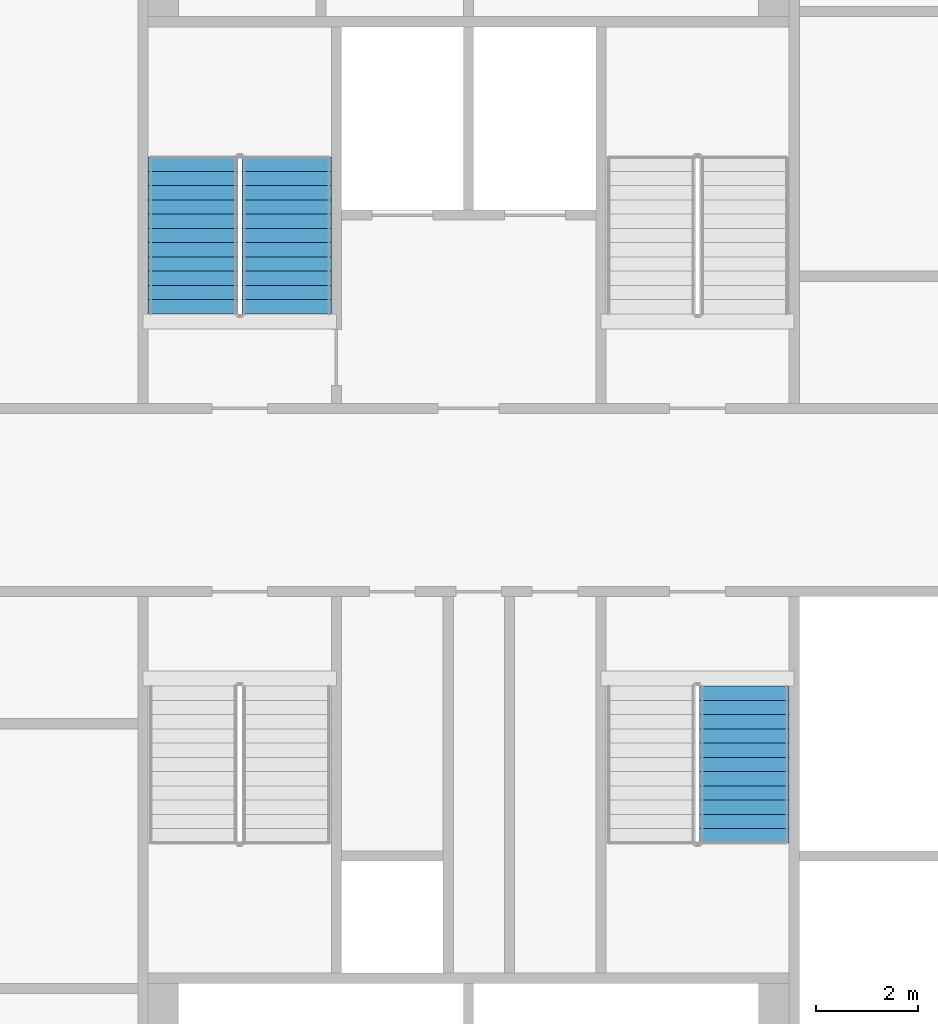
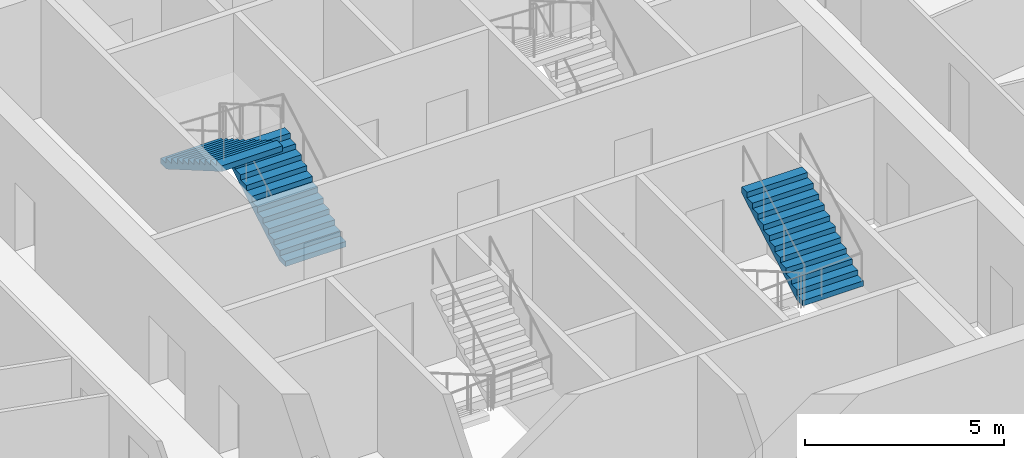
# One storey, part 15 of 21: 3 stair flights, 2 elements without a shape of their own.
"""IFC4 building model written with IfcOpenShell, lengths in metres."""

from ifc_helpers import new_model, si_unit, direction, frame, origin, place, context, subcontext, project, spatial, faceted_brep, material, type_object, element, aggregate, save


model = new_model("IFC4")

# Units and contexts
model_context = context("Model", 3, precision=1e-05, world=origin(), true_north=direction((0.0, 1.0)))
body_context = subcontext(model_context, "Body", "Model", "MODEL_VIEW")
ifc_project = project(units=[si_unit("LENGTHUNIT", "METRE"), si_unit("AREAUNIT", "SQUARE_METRE"), si_unit("VOLUMEUNIT", "CUBIC_METRE"), si_unit("PLANEANGLEUNIT", "RADIAN"), si_unit("MASSUNIT", "GRAM", prefix="KILO")], contexts=[model_context])

# Site, building, storey
site_placement = place(None, origin())
site = spatial("IfcSite", under=ifc_project, at=site_placement, CompositionType="ELEMENT")
building_placement = place(site_placement, origin())
building = spatial("IfcBuilding", under=site, at=building_placement, Name="Tarsis Ring Headquarters", CompositionType="ELEMENT")
storey_placement = place(building_placement, frame((0.0, 0.0, 223.800048828125)))
storey = spatial("IfcBuildingStorey", under=building, at=storey_placement, Name="L52", CompositionType="ELEMENT", Elevation=223.800048828125)

# Stair, stair flights
ifc_material_1 = material(Name="Core stair 1760")
stair_type = type_object("IfcStairType", Name="Core stair 1760", PredefinedType="HALF_TURN_STAIR", material=ifc_material_1)
stair_1_placement = place(storey_placement, origin())
stair_1 = element("IfcStair", 1, at=stair_1_placement, inside=storey, type_object=stair_type, Name="L52 Firefighting stair", PredefinedType="HALF_TURN_STAIR")
ifc_material_2 = material(Name="Concrete C40/50", Category="concrete")
stair_flight_type = type_object("IfcStairFlightType", Name="Core stair flight 1760", PredefinedType="STRAIGHT", material=ifc_material_2)
stair_flight_1_placement = place(storey_placement, frame((-3.580078125, 3.659912109375, 0.0), z_axis=(0.0, 0.0, 1.0), x_axis=(0.0, 1.0, 0.0)))
stair_flight_1 = element("IfcStairFlight", 2, at=stair_flight_1_placement, type_object=stair_flight_type, Name="Stair ST1 flight 1", NumberOfRisers=12, NumberOfTreads=11, PredefinedType="STRAIGHT", RiserHeight=0.1625, TreadLength=0.28, context=body_context, shape_type="Brep", body=[
    faceted_brep([(0.0, 0.8798828125, 0.0), (0.0, 0.8798828125, 0.16259765625), (0.280029296875, 0.8798828125, 0.16259765625), (0.280029296875, 0.8798828125, 0.324951171875), (0.56005859375, 0.8798828125, 0.324951171875), (0.56005859375, 0.8798828125, 0.487548828125), (0.840087890625, 0.8798828125, 0.487548828125), (0.840087890625, 0.8798828125, 0.64990234375), (1.1201171875, 0.8798828125, 0.64990234375), (1.1201171875, 0.8798828125, 0.8125), (1.39990234375, 0.8798828125, 0.8125), (1.39990234375, 0.8798828125, 0.97509765625), (1.679931640625, 0.8798828125, 0.97509765625), (1.679931640625, 0.8798828125, 1.137451171875), (1.9599609375, 0.8798828125, 1.137451171875), (1.9599609375, 0.8798828125, 1.300048828125), (2.239990234375, 0.8798828125, 1.300048828125), (2.239990234375, 0.8798828125, 1.46240234375), (2.52001953125, 0.8798828125, 1.46240234375), (2.52001953125, 0.8798828125, 1.625), (2.800048828125, 0.8798828125, 1.625), (2.800048828125, 0.8798828125, 1.78759765625), (3.080078125, 0.8798828125, 1.78759765625), (3.080078125, 0.8798828125, 1.6142578125), (0.298583984375, 0.8798828125, 0.0), (0.298583984375, -0.8798828125, 0.0), (3.080078125, -0.8798828125, 1.6142578125), (3.080078125, -0.8798828125, 1.78759765625), (2.800048828125, -0.8798828125, 1.78759765625), (2.800048828125, -0.8798828125, 1.625), (2.52001953125, -0.8798828125, 1.625), (2.52001953125, -0.8798828125, 1.46240234375), (2.239990234375, -0.8798828125, 1.46240234375), (2.239990234375, -0.8798828125, 1.300048828125), (1.9599609375, -0.8798828125, 1.300048828125), (1.9599609375, -0.8798828125, 1.137451171875), (1.679931640625, -0.8798828125, 1.137451171875), (1.679931640625, -0.8798828125, 0.97509765625), (1.39990234375, -0.8798828125, 0.97509765625), (1.39990234375, -0.8798828125, 0.8125), (1.1201171875, -0.8798828125, 0.8125), (1.1201171875, -0.8798828125, 0.64990234375), (0.840087890625, -0.8798828125, 0.64990234375), (0.840087890625, -0.8798828125, 0.487548828125), (0.56005859375, -0.8798828125, 0.487548828125), (0.56005859375, -0.8798828125, 0.324951171875), (0.280029296875, -0.8798828125, 0.324951171875), (0.280029296875, -0.8798828125, 0.16259765625), (0.0, -0.8798828125, 0.16259765625), (0.0, -0.8798828125, 0.0), (0.0, -0.43994140625, 0.16259765625), (0.0, -0.43994140625, 0.0), (0.0, 0.0, 0.16259765625), (0.0, 0.0, 0.0), (0.0, 0.43994140625, 0.16259765625), (0.0, 0.43994140625, 0.0), (0.280029296875, -0.43994140625, 0.16259765625), (0.280029296875, 0.0, 0.16259765625), (0.280029296875, 0.43994140625, 0.16259765625), (0.280029296875, -0.43994140625, 0.324951171875), (0.280029296875, 0.0, 0.324951171875), (0.280029296875, 0.43994140625, 0.324951171875), (0.56005859375, -0.43994140625, 0.324951171875), (0.56005859375, 0.0, 0.324951171875), (0.56005859375, 0.43994140625, 0.324951171875), (0.56005859375, -0.43994140625, 0.487548828125), (0.56005859375, 0.0, 0.487548828125), (0.56005859375, 0.43994140625, 0.487548828125), (0.840087890625, -0.43994140625, 0.487548828125), (0.840087890625, 0.0, 0.487548828125), (0.840087890625, 0.43994140625, 0.487548828125), (0.840087890625, -0.43994140625, 0.64990234375), (0.840087890625, 0.0, 0.64990234375), (0.840087890625, 0.43994140625, 0.64990234375), (1.1201171875, -0.43994140625, 0.64990234375), (1.1201171875, 0.0, 0.64990234375), (1.1201171875, 0.43994140625, 0.64990234375), (1.1201171875, -0.43994140625, 0.8125), (1.1201171875, 0.0, 0.8125), (1.1201171875, 0.43994140625, 0.8125), (1.39990234375, -0.43994140625, 0.8125), (1.39990234375, 0.0, 0.8125), (1.39990234375, 0.43994140625, 0.8125), (1.39990234375, -0.43994140625, 0.97509765625), (1.39990234375, 0.0, 0.97509765625), (1.39990234375, 0.43994140625, 0.97509765625), (1.679931640625, -0.43994140625, 0.97509765625), (1.679931640625, 0.0, 0.97509765625), (1.679931640625, 0.43994140625, 0.97509765625), (1.679931640625, -0.43994140625, 1.137451171875), (1.679931640625, 0.0, 1.137451171875), (1.679931640625, 0.43994140625, 1.137451171875), (1.9599609375, -0.43994140625, 1.137451171875), (1.9599609375, 0.0, 1.137451171875), (1.9599609375, 0.43994140625, 1.137451171875), (1.9599609375, -0.43994140625, 1.300048828125), (1.9599609375, 0.0, 1.300048828125), (1.9599609375, 0.43994140625, 1.300048828125), (2.239990234375, -0.43994140625, 1.300048828125), (2.239990234375, 0.0, 1.300048828125), (2.239990234375, 0.43994140625, 1.300048828125), (2.239990234375, -0.43994140625, 1.46240234375), (2.239990234375, 0.0, 1.46240234375), (2.239990234375, 0.43994140625, 1.46240234375), (2.52001953125, -0.43994140625, 1.46240234375), (2.52001953125, 0.0, 1.46240234375), (2.52001953125, 0.43994140625, 1.46240234375), (2.52001953125, -0.43994140625, 1.625), (2.52001953125, 0.0, 1.625), (2.52001953125, 0.43994140625, 1.625), (2.800048828125, -0.43994140625, 1.625), (2.800048828125, 0.0, 1.625), (2.800048828125, 0.43994140625, 1.625), (2.800048828125, -0.43994140625, 1.78759765625), (2.800048828125, 0.0, 1.78759765625), (2.800048828125, 0.43994140625, 1.78759765625), (3.080078125, -0.43994140625, 1.78759765625), (3.080078125, 0.0, 1.78759765625), (3.080078125, 0.43994140625, 1.78759765625), (3.080078125, -0.43994140625, 1.6142578125), (3.080078125, 0.0, 1.6142578125), (3.080078125, 0.43994140625, 1.6142578125), (0.298583984375, -0.43994140625, 0.0), (0.298583984375, 0.0, 0.0), (0.298583984375, 0.43994140625, 0.0)], [[[0, 1, 2, 3, 4, 5, 6, 7, 8, 9, 10, 11, 12, 13, 14, 15, 16, 17, 18, 19, 20, 21, 22, 23, 24]], [[25, 26, 27, 28, 29, 30, 31, 32, 33, 34, 35, 36, 37, 38, 39, 40, 41, 42, 43, 44, 45, 46, 47, 48, 49]], [[49, 48, 50, 51]], [[51, 50, 52, 53]], [[53, 52, 54, 55]], [[55, 54, 1, 0]], [[48, 47, 56, 50]], [[50, 56, 57, 52]], [[52, 57, 58, 54]], [[54, 58, 2, 1]], [[47, 46, 59, 56]], [[56, 59, 60, 57]], [[57, 60, 61, 58]], [[58, 61, 3, 2]], [[46, 45, 62, 59]], [[59, 62, 63, 60]], [[60, 63, 64, 61]], [[61, 64, 4, 3]], [[45, 44, 65, 62]], [[62, 65, 66, 63]], [[63, 66, 67, 64]], [[64, 67, 5, 4]], [[44, 43, 68, 65]], [[65, 68, 69, 66]], [[66, 69, 70, 67]], [[67, 70, 6, 5]], [[43, 42, 71, 68]], [[68, 71, 72, 69]], [[69, 72, 73, 70]], [[70, 73, 7, 6]], [[42, 41, 74, 71]], [[71, 74, 75, 72]], [[72, 75, 76, 73]], [[73, 76, 8, 7]], [[41, 40, 77, 74]], [[74, 77, 78, 75]], [[75, 78, 79, 76]], [[76, 79, 9, 8]], [[40, 39, 80, 77]], [[77, 80, 81, 78]], [[78, 81, 82, 79]], [[79, 82, 10, 9]], [[39, 38, 83, 80]], [[80, 83, 84, 81]], [[81, 84, 85, 82]], [[82, 85, 11, 10]], [[38, 37, 86, 83]], [[83, 86, 87, 84]], [[84, 87, 88, 85]], [[85, 88, 12, 11]], [[37, 36, 89, 86]], [[86, 89, 90, 87]], [[87, 90, 91, 88]], [[88, 91, 13, 12]], [[36, 35, 92, 89]], [[89, 92, 93, 90]], [[90, 93, 94, 91]], [[91, 94, 14, 13]], [[35, 34, 95, 92]], [[92, 95, 96, 93]], [[93, 96, 97, 94]], [[94, 97, 15, 14]], [[34, 33, 98, 95]], [[95, 98, 99, 96]], [[96, 99, 100, 97]], [[97, 100, 16, 15]], [[33, 32, 101, 98]], [[98, 101, 102, 99]], [[99, 102, 103, 100]], [[100, 103, 17, 16]], [[32, 31, 104, 101]], [[101, 104, 105, 102]], [[102, 105, 106, 103]], [[103, 106, 18, 17]], [[31, 30, 107, 104]], [[104, 107, 108, 105]], [[105, 108, 109, 106]], [[106, 109, 19, 18]], [[30, 29, 110, 107]], [[107, 110, 111, 108]], [[108, 111, 112, 109]], [[109, 112, 20, 19]], [[29, 28, 113, 110]], [[110, 113, 114, 111]], [[111, 114, 115, 112]], [[112, 115, 21, 20]], [[28, 27, 116, 113]], [[113, 116, 117, 114]], [[114, 117, 118, 115]], [[115, 118, 22, 21]], [[27, 26, 119, 116]], [[116, 119, 120, 117]], [[117, 120, 121, 118]], [[118, 121, 23, 22]], [[26, 25, 122, 119]], [[119, 122, 123, 120]], [[120, 123, 124, 121]], [[121, 124, 24, 23]], [[25, 49, 51, 122]], [[122, 51, 53, 123]], [[123, 53, 55, 124]], [[124, 55, 0, 24]]]),
])
stair_flight_2_placement = place(storey_placement, frame((-5.419921875, 6.739990234375, 1.949951171875), z_axis=(0.0, 0.0, 1.0), x_axis=(0.0, -1.0, 0.0)))
stair_flight_2 = element("IfcStairFlight", 3, at=stair_flight_2_placement, type_object=stair_flight_type, Name="Stair ST1 flight 2", NumberOfRisers=12, NumberOfTreads=11, PredefinedType="STRAIGHT", RiserHeight=0.1625, TreadLength=0.28, context=body_context, shape_type="Brep", body=[
    faceted_brep([(0.0, 0.8798828125, 0.0), (0.0, 0.8798828125, 0.16259765625), (0.280029296875, 0.8798828125, 0.16259765625), (0.280029296875, 0.8798828125, 0.324951171875), (0.56005859375, 0.8798828125, 0.324951171875), (0.56005859375, 0.8798828125, 0.487548828125), (0.840087890625, 0.8798828125, 0.487548828125), (0.840087890625, 0.8798828125, 0.64990234375), (1.1201171875, 0.8798828125, 0.64990234375), (1.1201171875, 0.8798828125, 0.8125), (1.39990234375, 0.8798828125, 0.8125), (1.39990234375, 0.8798828125, 0.97509765625), (1.679931640625, 0.8798828125, 0.97509765625), (1.679931640625, 0.8798828125, 1.137451171875), (1.9599609375, 0.8798828125, 1.137451171875), (1.9599609375, 0.8798828125, 1.300048828125), (2.239990234375, 0.8798828125, 1.300048828125), (2.239990234375, 0.8798828125, 1.46240234375), (2.52001953125, 0.8798828125, 1.46240234375), (2.52001953125, 0.8798828125, 1.625), (2.800048828125, 0.8798828125, 1.625), (2.800048828125, 0.8798828125, 1.78759765625), (3.080078125, 0.8798828125, 1.78759765625), (3.080078125, 0.8798828125, 1.6142578125), (0.298583984375, 0.8798828125, 0.0), (0.298583984375, -0.8798828125, 0.0), (3.080078125, -0.8798828125, 1.6142578125), (3.080078125, -0.8798828125, 1.78759765625), (2.800048828125, -0.8798828125, 1.78759765625), (2.800048828125, -0.8798828125, 1.625), (2.52001953125, -0.8798828125, 1.625), (2.52001953125, -0.8798828125, 1.46240234375), (2.239990234375, -0.8798828125, 1.46240234375), (2.239990234375, -0.8798828125, 1.300048828125), (1.9599609375, -0.8798828125, 1.300048828125), (1.9599609375, -0.8798828125, 1.137451171875), (1.679931640625, -0.8798828125, 1.137451171875), (1.679931640625, -0.8798828125, 0.97509765625), (1.39990234375, -0.8798828125, 0.97509765625), (1.39990234375, -0.8798828125, 0.8125), (1.1201171875, -0.8798828125, 0.8125), (1.1201171875, -0.8798828125, 0.64990234375), (0.840087890625, -0.8798828125, 0.64990234375), (0.840087890625, -0.8798828125, 0.487548828125), (0.56005859375, -0.8798828125, 0.487548828125), (0.56005859375, -0.8798828125, 0.324951171875), (0.280029296875, -0.8798828125, 0.324951171875), (0.280029296875, -0.8798828125, 0.16259765625), (0.0, -0.8798828125, 0.16259765625), (0.0, -0.8798828125, 0.0), (0.0, -0.43994140625, 0.16259765625), (0.0, -0.43994140625, 0.0), (0.0, 0.0, 0.16259765625), (0.0, 0.0, 0.0), (0.0, 0.43994140625, 0.16259765625), (0.0, 0.43994140625, 0.0), (0.280029296875, -0.43994140625, 0.16259765625), (0.280029296875, 0.0, 0.16259765625), (0.280029296875, 0.43994140625, 0.16259765625), (0.280029296875, -0.43994140625, 0.324951171875), (0.280029296875, 0.0, 0.324951171875), (0.280029296875, 0.43994140625, 0.324951171875), (0.56005859375, -0.43994140625, 0.324951171875), (0.56005859375, 0.0, 0.324951171875), (0.56005859375, 0.43994140625, 0.324951171875), (0.56005859375, -0.43994140625, 0.487548828125), (0.56005859375, 0.0, 0.487548828125), (0.56005859375, 0.43994140625, 0.487548828125), (0.840087890625, -0.43994140625, 0.487548828125), (0.840087890625, 0.0, 0.487548828125), (0.840087890625, 0.43994140625, 0.487548828125), (0.840087890625, -0.43994140625, 0.64990234375), (0.840087890625, 0.0, 0.64990234375), (0.840087890625, 0.43994140625, 0.64990234375), (1.1201171875, -0.43994140625, 0.64990234375), (1.1201171875, 0.0, 0.64990234375), (1.1201171875, 0.43994140625, 0.64990234375), (1.1201171875, -0.43994140625, 0.8125), (1.1201171875, 0.0, 0.8125), (1.1201171875, 0.43994140625, 0.8125), (1.39990234375, -0.43994140625, 0.8125), (1.39990234375, 0.0, 0.8125), (1.39990234375, 0.43994140625, 0.8125), (1.39990234375, -0.43994140625, 0.97509765625), (1.39990234375, 0.0, 0.97509765625), (1.39990234375, 0.43994140625, 0.97509765625), (1.679931640625, -0.43994140625, 0.97509765625), (1.679931640625, 0.0, 0.97509765625), (1.679931640625, 0.43994140625, 0.97509765625), (1.679931640625, -0.43994140625, 1.137451171875), (1.679931640625, 0.0, 1.137451171875), (1.679931640625, 0.43994140625, 1.137451171875), (1.9599609375, -0.43994140625, 1.137451171875), (1.9599609375, 0.0, 1.137451171875), (1.9599609375, 0.43994140625, 1.137451171875), (1.9599609375, -0.43994140625, 1.300048828125), (1.9599609375, 0.0, 1.300048828125), (1.9599609375, 0.43994140625, 1.300048828125), (2.239990234375, -0.43994140625, 1.300048828125), (2.239990234375, 0.0, 1.300048828125), (2.239990234375, 0.43994140625, 1.300048828125), (2.239990234375, -0.43994140625, 1.46240234375), (2.239990234375, 0.0, 1.46240234375), (2.239990234375, 0.43994140625, 1.46240234375), (2.52001953125, -0.43994140625, 1.46240234375), (2.52001953125, 0.0, 1.46240234375), (2.52001953125, 0.43994140625, 1.46240234375), (2.52001953125, -0.43994140625, 1.625), (2.52001953125, 0.0, 1.625), (2.52001953125, 0.43994140625, 1.625), (2.800048828125, -0.43994140625, 1.625), (2.800048828125, 0.0, 1.625), (2.800048828125, 0.43994140625, 1.625), (2.800048828125, -0.43994140625, 1.78759765625), (2.800048828125, 0.0, 1.78759765625), (2.800048828125, 0.43994140625, 1.78759765625), (3.080078125, -0.43994140625, 1.78759765625), (3.080078125, 0.0, 1.78759765625), (3.080078125, 0.43994140625, 1.78759765625), (3.080078125, -0.43994140625, 1.6142578125), (3.080078125, 0.0, 1.6142578125), (3.080078125, 0.43994140625, 1.6142578125), (0.298583984375, -0.43994140625, 0.0), (0.298583984375, 0.0, 0.0), (0.298583984375, 0.43994140625, 0.0)], [[[0, 1, 2, 3, 4, 5, 6, 7, 8, 9, 10, 11, 12, 13, 14, 15, 16, 17, 18, 19, 20, 21, 22, 23, 24]], [[25, 26, 27, 28, 29, 30, 31, 32, 33, 34, 35, 36, 37, 38, 39, 40, 41, 42, 43, 44, 45, 46, 47, 48, 49]], [[49, 48, 50, 51]], [[51, 50, 52, 53]], [[53, 52, 54, 55]], [[55, 54, 1, 0]], [[48, 47, 56, 50]], [[50, 56, 57, 52]], [[52, 57, 58, 54]], [[54, 58, 2, 1]], [[47, 46, 59, 56]], [[56, 59, 60, 57]], [[57, 60, 61, 58]], [[58, 61, 3, 2]], [[46, 45, 62, 59]], [[59, 62, 63, 60]], [[60, 63, 64, 61]], [[61, 64, 4, 3]], [[45, 44, 65, 62]], [[62, 65, 66, 63]], [[63, 66, 67, 64]], [[64, 67, 5, 4]], [[44, 43, 68, 65]], [[65, 68, 69, 66]], [[66, 69, 70, 67]], [[67, 70, 6, 5]], [[43, 42, 71, 68]], [[68, 71, 72, 69]], [[69, 72, 73, 70]], [[70, 73, 7, 6]], [[42, 41, 74, 71]], [[71, 74, 75, 72]], [[72, 75, 76, 73]], [[73, 76, 8, 7]], [[41, 40, 77, 74]], [[74, 77, 78, 75]], [[75, 78, 79, 76]], [[76, 79, 9, 8]], [[40, 39, 80, 77]], [[77, 80, 81, 78]], [[78, 81, 82, 79]], [[79, 82, 10, 9]], [[39, 38, 83, 80]], [[80, 83, 84, 81]], [[81, 84, 85, 82]], [[82, 85, 11, 10]], [[38, 37, 86, 83]], [[83, 86, 87, 84]], [[84, 87, 88, 85]], [[85, 88, 12, 11]], [[37, 36, 89, 86]], [[86, 89, 90, 87]], [[87, 90, 91, 88]], [[88, 91, 13, 12]], [[36, 35, 92, 89]], [[89, 92, 93, 90]], [[90, 93, 94, 91]], [[91, 94, 14, 13]], [[35, 34, 95, 92]], [[92, 95, 96, 93]], [[93, 96, 97, 94]], [[94, 97, 15, 14]], [[34, 33, 98, 95]], [[95, 98, 99, 96]], [[96, 99, 100, 97]], [[97, 100, 16, 15]], [[33, 32, 101, 98]], [[98, 101, 102, 99]], [[99, 102, 103, 100]], [[100, 103, 17, 16]], [[32, 31, 104, 101]], [[101, 104, 105, 102]], [[102, 105, 106, 103]], [[103, 106, 18, 17]], [[31, 30, 107, 104]], [[104, 107, 108, 105]], [[105, 108, 109, 106]], [[106, 109, 19, 18]], [[30, 29, 110, 107]], [[107, 110, 111, 108]], [[108, 111, 112, 109]], [[109, 112, 20, 19]], [[29, 28, 113, 110]], [[110, 113, 114, 111]], [[111, 114, 115, 112]], [[112, 115, 21, 20]], [[28, 27, 116, 113]], [[113, 116, 117, 114]], [[114, 117, 118, 115]], [[115, 118, 22, 21]], [[27, 26, 119, 116]], [[116, 119, 120, 117]], [[117, 120, 121, 118]], [[118, 121, 23, 22]], [[26, 25, 122, 119]], [[119, 122, 123, 120]], [[120, 123, 124, 121]], [[121, 124, 24, 23]], [[25, 49, 51, 122]], [[122, 51, 53, 123]], [[123, 53, 55, 124]], [[124, 55, 0, 24]]]),
])
aggregate(stair_1, [stair_flight_1, stair_flight_2])

# Stair, stair flight
stair_2_placement = place(storey_placement, origin())
stair_2 = element("IfcStair", 4, at=stair_2_placement, inside=storey, type_object=stair_type, Name="L52 Exit stair D", PredefinedType="HALF_TURN_STAIR")
stair_flight_3_placement = place(storey_placement, frame((5.419921875, -6.739990234375, 1.949951171875), z_axis=(0.0, 0.0, 1.0), x_axis=(0.0, 1.0, 0.0)))
stair_flight_3 = element("IfcStairFlight", 5, at=stair_flight_3_placement, type_object=stair_flight_type, Name="Stair ST4 flight 2", NumberOfRisers=12, NumberOfTreads=11, PredefinedType="STRAIGHT", RiserHeight=0.1625, TreadLength=0.28, context=body_context, shape_type="Brep", body=[
    faceted_brep([(0.0, 0.8798828125, 0.0), (0.0, 0.8798828125, 0.16259765625), (0.280029296875, 0.8798828125, 0.16259765625), (0.280029296875, 0.8798828125, 0.324951171875), (0.56005859375, 0.8798828125, 0.324951171875), (0.56005859375, 0.8798828125, 0.487548828125), (0.840087890625, 0.8798828125, 0.487548828125), (0.840087890625, 0.8798828125, 0.64990234375), (1.1201171875, 0.8798828125, 0.64990234375), (1.1201171875, 0.8798828125, 0.8125), (1.39990234375, 0.8798828125, 0.8125), (1.39990234375, 0.8798828125, 0.97509765625), (1.679931640625, 0.8798828125, 0.97509765625), (1.679931640625, 0.8798828125, 1.137451171875), (1.9599609375, 0.8798828125, 1.137451171875), (1.9599609375, 0.8798828125, 1.300048828125), (2.239990234375, 0.8798828125, 1.300048828125), (2.239990234375, 0.8798828125, 1.46240234375), (2.52001953125, 0.8798828125, 1.46240234375), (2.52001953125, 0.8798828125, 1.625), (2.800048828125, 0.8798828125, 1.625), (2.800048828125, 0.8798828125, 1.78759765625), (3.080078125, 0.8798828125, 1.78759765625), (3.080078125, 0.8798828125, 1.6142578125), (0.298583984375, 0.8798828125, 0.0), (0.298583984375, -0.8798828125, 0.0), (3.080078125, -0.8798828125, 1.6142578125), (3.080078125, -0.8798828125, 1.78759765625), (2.800048828125, -0.8798828125, 1.78759765625), (2.800048828125, -0.8798828125, 1.625), (2.52001953125, -0.8798828125, 1.625), (2.52001953125, -0.8798828125, 1.46240234375), (2.239990234375, -0.8798828125, 1.46240234375), (2.239990234375, -0.8798828125, 1.300048828125), (1.9599609375, -0.8798828125, 1.300048828125), (1.9599609375, -0.8798828125, 1.137451171875), (1.679931640625, -0.8798828125, 1.137451171875), (1.679931640625, -0.8798828125, 0.97509765625), (1.39990234375, -0.8798828125, 0.97509765625), (1.39990234375, -0.8798828125, 0.8125), (1.1201171875, -0.8798828125, 0.8125), (1.1201171875, -0.8798828125, 0.64990234375), (0.840087890625, -0.8798828125, 0.64990234375), (0.840087890625, -0.8798828125, 0.487548828125), (0.56005859375, -0.8798828125, 0.487548828125), (0.56005859375, -0.8798828125, 0.324951171875), (0.280029296875, -0.8798828125, 0.324951171875), (0.280029296875, -0.8798828125, 0.16259765625), (0.0, -0.8798828125, 0.16259765625), (0.0, -0.8798828125, 0.0), (0.0, -0.43994140625, 0.16259765625), (0.0, -0.43994140625, 0.0), (0.0, 0.0, 0.16259765625), (0.0, 0.0, 0.0), (0.0, 0.43994140625, 0.16259765625), (0.0, 0.43994140625, 0.0), (0.280029296875, -0.43994140625, 0.16259765625), (0.280029296875, 0.0, 0.16259765625), (0.280029296875, 0.43994140625, 0.16259765625), (0.280029296875, -0.43994140625, 0.324951171875), (0.280029296875, 0.0, 0.324951171875), (0.280029296875, 0.43994140625, 0.324951171875), (0.56005859375, -0.43994140625, 0.324951171875), (0.56005859375, 0.0, 0.324951171875), (0.56005859375, 0.43994140625, 0.324951171875), (0.56005859375, -0.43994140625, 0.487548828125), (0.56005859375, 0.0, 0.487548828125), (0.56005859375, 0.43994140625, 0.487548828125), (0.840087890625, -0.43994140625, 0.487548828125), (0.840087890625, 0.0, 0.487548828125), (0.840087890625, 0.43994140625, 0.487548828125), (0.840087890625, -0.43994140625, 0.64990234375), (0.840087890625, 0.0, 0.64990234375), (0.840087890625, 0.43994140625, 0.64990234375), (1.1201171875, -0.43994140625, 0.64990234375), (1.1201171875, 0.0, 0.64990234375), (1.1201171875, 0.43994140625, 0.64990234375), (1.1201171875, -0.43994140625, 0.8125), (1.1201171875, 0.0, 0.8125), (1.1201171875, 0.43994140625, 0.8125), (1.39990234375, -0.43994140625, 0.8125), (1.39990234375, 0.0, 0.8125), (1.39990234375, 0.43994140625, 0.8125), (1.39990234375, -0.43994140625, 0.97509765625), (1.39990234375, 0.0, 0.97509765625), (1.39990234375, 0.43994140625, 0.97509765625), (1.679931640625, -0.43994140625, 0.97509765625), (1.679931640625, 0.0, 0.97509765625), (1.679931640625, 0.43994140625, 0.97509765625), (1.679931640625, -0.43994140625, 1.137451171875), (1.679931640625, 0.0, 1.137451171875), (1.679931640625, 0.43994140625, 1.137451171875), (1.9599609375, -0.43994140625, 1.137451171875), (1.9599609375, 0.0, 1.137451171875), (1.9599609375, 0.43994140625, 1.137451171875), (1.9599609375, -0.43994140625, 1.300048828125), (1.9599609375, 0.0, 1.300048828125), (1.9599609375, 0.43994140625, 1.300048828125), (2.239990234375, -0.43994140625, 1.300048828125), (2.239990234375, 0.0, 1.300048828125), (2.239990234375, 0.43994140625, 1.300048828125), (2.239990234375, -0.43994140625, 1.46240234375), (2.239990234375, 0.0, 1.46240234375), (2.239990234375, 0.43994140625, 1.46240234375), (2.52001953125, -0.43994140625, 1.46240234375), (2.52001953125, 0.0, 1.46240234375), (2.52001953125, 0.43994140625, 1.46240234375), (2.52001953125, -0.43994140625, 1.625), (2.52001953125, 0.0, 1.625), (2.52001953125, 0.43994140625, 1.625), (2.800048828125, -0.43994140625, 1.625), (2.800048828125, 0.0, 1.625), (2.800048828125, 0.43994140625, 1.625), (2.800048828125, -0.43994140625, 1.78759765625), (2.800048828125, 0.0, 1.78759765625), (2.800048828125, 0.43994140625, 1.78759765625), (3.080078125, -0.43994140625, 1.78759765625), (3.080078125, 0.0, 1.78759765625), (3.080078125, 0.43994140625, 1.78759765625), (3.080078125, -0.43994140625, 1.6142578125), (3.080078125, 0.0, 1.6142578125), (3.080078125, 0.43994140625, 1.6142578125), (0.298583984375, -0.43994140625, 0.0), (0.298583984375, 0.0, 0.0), (0.298583984375, 0.43994140625, 0.0)], [[[0, 1, 2, 3, 4, 5, 6, 7, 8, 9, 10, 11, 12, 13, 14, 15, 16, 17, 18, 19, 20, 21, 22, 23, 24]], [[25, 26, 27, 28, 29, 30, 31, 32, 33, 34, 35, 36, 37, 38, 39, 40, 41, 42, 43, 44, 45, 46, 47, 48, 49]], [[49, 48, 50, 51]], [[51, 50, 52, 53]], [[53, 52, 54, 55]], [[55, 54, 1, 0]], [[48, 47, 56, 50]], [[50, 56, 57, 52]], [[52, 57, 58, 54]], [[54, 58, 2, 1]], [[47, 46, 59, 56]], [[56, 59, 60, 57]], [[57, 60, 61, 58]], [[58, 61, 3, 2]], [[46, 45, 62, 59]], [[59, 62, 63, 60]], [[60, 63, 64, 61]], [[61, 64, 4, 3]], [[45, 44, 65, 62]], [[62, 65, 66, 63]], [[63, 66, 67, 64]], [[64, 67, 5, 4]], [[44, 43, 68, 65]], [[65, 68, 69, 66]], [[66, 69, 70, 67]], [[67, 70, 6, 5]], [[43, 42, 71, 68]], [[68, 71, 72, 69]], [[69, 72, 73, 70]], [[70, 73, 7, 6]], [[42, 41, 74, 71]], [[71, 74, 75, 72]], [[72, 75, 76, 73]], [[73, 76, 8, 7]], [[41, 40, 77, 74]], [[74, 77, 78, 75]], [[75, 78, 79, 76]], [[76, 79, 9, 8]], [[40, 39, 80, 77]], [[77, 80, 81, 78]], [[78, 81, 82, 79]], [[79, 82, 10, 9]], [[39, 38, 83, 80]], [[80, 83, 84, 81]], [[81, 84, 85, 82]], [[82, 85, 11, 10]], [[38, 37, 86, 83]], [[83, 86, 87, 84]], [[84, 87, 88, 85]], [[85, 88, 12, 11]], [[37, 36, 89, 86]], [[86, 89, 90, 87]], [[87, 90, 91, 88]], [[88, 91, 13, 12]], [[36, 35, 92, 89]], [[89, 92, 93, 90]], [[90, 93, 94, 91]], [[91, 94, 14, 13]], [[35, 34, 95, 92]], [[92, 95, 96, 93]], [[93, 96, 97, 94]], [[94, 97, 15, 14]], [[34, 33, 98, 95]], [[95, 98, 99, 96]], [[96, 99, 100, 97]], [[97, 100, 16, 15]], [[33, 32, 101, 98]], [[98, 101, 102, 99]], [[99, 102, 103, 100]], [[100, 103, 17, 16]], [[32, 31, 104, 101]], [[101, 104, 105, 102]], [[102, 105, 106, 103]], [[103, 106, 18, 17]], [[31, 30, 107, 104]], [[104, 107, 108, 105]], [[105, 108, 109, 106]], [[106, 109, 19, 18]], [[30, 29, 110, 107]], [[107, 110, 111, 108]], [[108, 111, 112, 109]], [[109, 112, 20, 19]], [[29, 28, 113, 110]], [[110, 113, 114, 111]], [[111, 114, 115, 112]], [[112, 115, 21, 20]], [[28, 27, 116, 113]], [[113, 116, 117, 114]], [[114, 117, 118, 115]], [[115, 118, 22, 21]], [[27, 26, 119, 116]], [[116, 119, 120, 117]], [[117, 120, 121, 118]], [[118, 121, 23, 22]], [[26, 25, 122, 119]], [[119, 122, 123, 120]], [[120, 123, 124, 121]], [[121, 124, 24, 23]], [[25, 49, 51, 122]], [[122, 51, 53, 123]], [[123, 53, 55, 124]], [[124, 55, 0, 24]]]),
])
aggregate(stair_2, [stair_flight_3])

save(model, "model.ifc")
